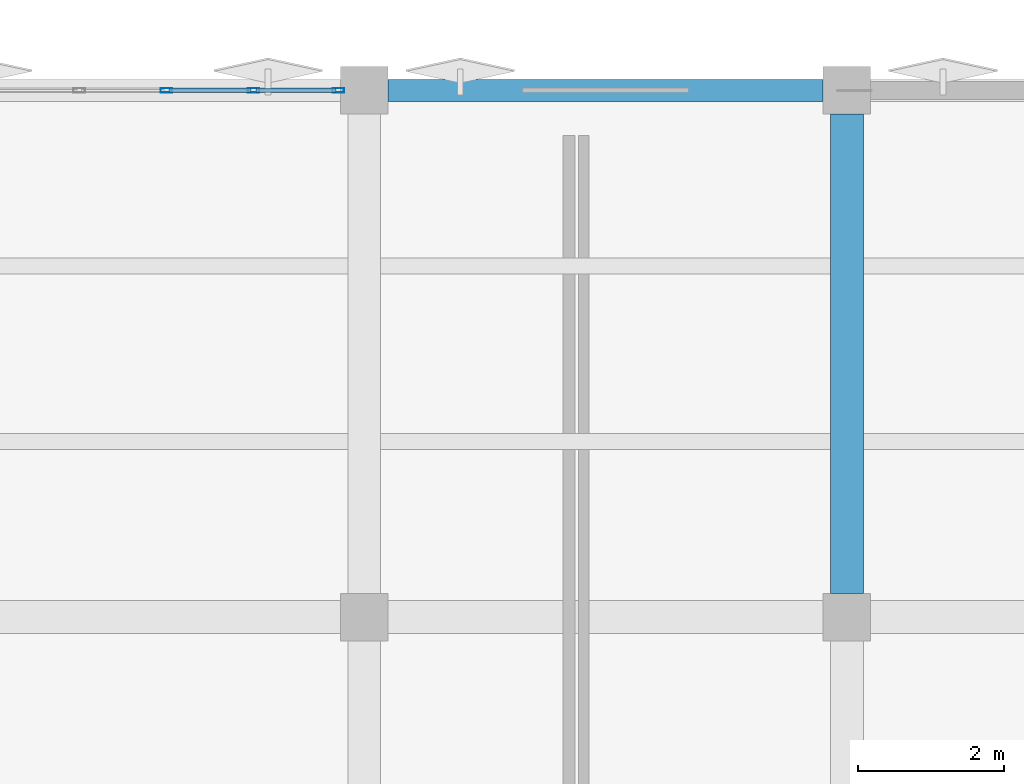
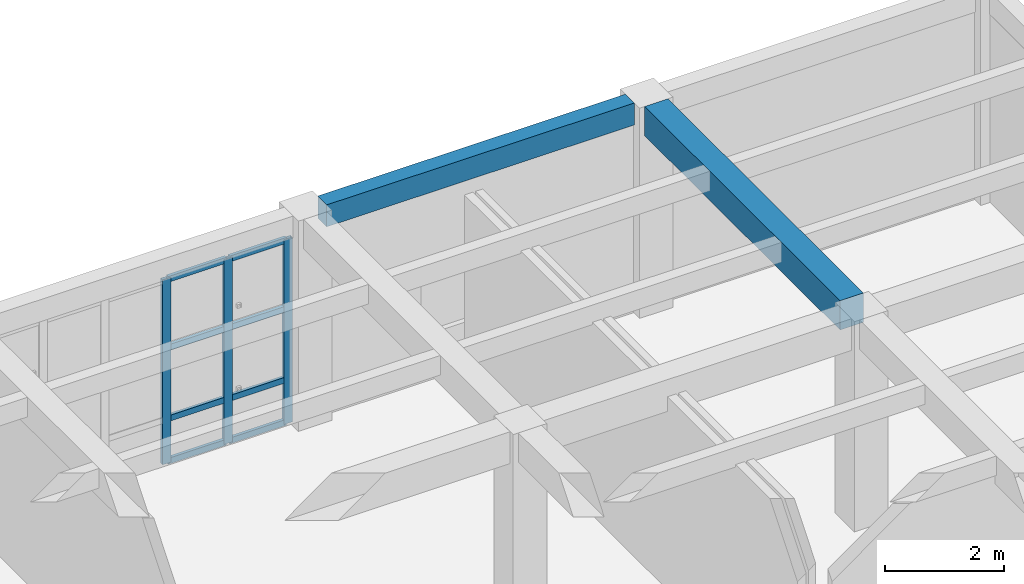
# One storey, part 18 of 39: 11 members, 2 beams, 1 element without a shape of its own.
"""IFC4 building model written with IfcOpenShell, lengths in metres."""

from ifc_helpers import new_model, si_unit, direction, frame, origin, origin_2d, place, context, subcontext, project, spatial, rectangle, hollow_rectangle, extrude, material, layer, layer_set, material_profile, profile_set, type_object, element, aggregate, save


model = new_model("IFC4")

# Units and contexts
model_context = context("Model", 3, precision=1e-05, world=origin(), true_north=direction((0.0, 1.0)))
body_context = subcontext(model_context, "Body", "Model", "MODEL_VIEW")
ifc_project = project(units=[si_unit("LENGTHUNIT", "METRE"), si_unit("AREAUNIT", "SQUARE_METRE"), si_unit("VOLUMEUNIT", "CUBIC_METRE"), si_unit("PLANEANGLEUNIT", "RADIAN"), si_unit("MASSUNIT", "GRAM", prefix="KILO")], contexts=[model_context])

# Site, building, storey
site_placement = place(None, origin())
site = spatial("IfcSite", under=ifc_project, at=site_placement, CompositionType="ELEMENT")
building_placement = place(site_placement, origin())
building = spatial("IfcBuilding", under=site, at=building_placement, Name="Kharisveld Research Institute", CompositionType="ELEMENT")
storey_placement = place(building_placement, frame((0.0, 0.0, 18.60009765625)))
storey = spatial("IfcBuildingStorey", under=building, at=storey_placement, Name="L04", CompositionType="ELEMENT", Elevation=18.60009765625)

# Beam
ifc_material_1 = material(Name="Concrete C40/50", Category="concrete")
ifc_material_profile_1 = material_profile(ifc_material_1, rectangle(XDim=0.449951171875, YDim=0.60009765625, at=origin_2d()))
ifc_profile_set_1 = profile_set([ifc_material_profile_1], Name="Concrete C40/50")
beam_type_1 = type_object("IfcBeamType", Name="BM_RC_450x600", PredefinedType="BEAM", material=ifc_profile_set_1)
beam_1_placement = place(storey_placement, frame((154.199951171875, 53.925048828125, 4.0), z_axis=(0.0, 1.0, 0.0), x_axis=(-1.0, 0.0, 0.0)))
element("IfcBeam", 1, at=beam_1_placement, inside=storey, type_object=beam_type_1, Name="BM:V2:L04:V6_2", PredefinedType="BEAM", context=body_context, shape_type="SweptSolid", body=[
    extrude(rectangle(XDim=0.449951171875, YDim=0.60009765625, at=origin_2d()), origin(), (0.0, 0.0, 1.0), 6.550048828125),
])

# Curtain wall, members
ifc_material_2 = material(Name="Thermally Broken Aluminium Curtain Wall", Category="aluminium")
ifc_layer = layer(ifc_material_2, 0.159912109375)
ifc_layer_set = layer_set([ifc_layer], Name="CW_SYS_01")
curtain_wall_type = type_object("IfcCurtainWallType", Name="CW_SYS_01", PredefinedType="NOTDEFINED", material=ifc_layer_set)
curtain_wall_placement = place(storey_placement, origin())
curtain_wall = element("IfcCurtainWall", 2, at=curtain_wall_placement, inside=storey, type_object=curtain_wall_type, Name="CW:V2:L04:N4", PredefinedType="NOTDEFINED")
ifc_material_3 = material(Name="Anodised Aluminium AW-6063-T6", Category="aluminium")
ifc_material_profile_2 = material_profile(ifc_material_3, hollow_rectangle(XDim=0.06494140625, YDim=0.159912109375, WallThickness=0.00390625, at=origin_2d()))
ifc_profile_set_2 = profile_set([ifc_material_profile_2], Name="Anodised Aluminium AW-6063-T6")
member_type_1 = type_object("IfcMemberType", Name="CW_MUL_160", PredefinedType="MULLION", material=ifc_profile_set_2)
member_1_placement = place(storey_placement, frame((144.89599609375, 60.800048828125, 0.0), z_axis=(0.0, 0.0, 1.0), x_axis=(0.0, 1.0, 0.0)))
member_1 = element("IfcMember", 3, at=member_1_placement, type_object=member_type_1, Name="CW-01 mullion 4", PredefinedType="MULLION", context=body_context, shape_type="SweptSolid", body=[
    extrude(hollow_rectangle(XDim=0.06494140625, YDim=0.159912109375, WallThickness=0.00390625, at=origin_2d()), origin(), (0.0, 0.0, 1.0), 3.77978515625),
])
member_2_placement = place(storey_placement, frame((146.087890625, 60.800048828125, 0.0), z_axis=(0.0, 0.0, 1.0), x_axis=(0.0, 1.0, 0.0)))
member_2 = element("IfcMember", 4, at=member_2_placement, type_object=member_type_1, Name="CW-01 mullion 5", PredefinedType="MULLION", context=body_context, shape_type="SweptSolid", body=[
    extrude(hollow_rectangle(XDim=0.06494140625, YDim=0.159912109375, WallThickness=0.00390625, at=origin_2d()), origin(), (0.0, 0.0, 1.0), 3.77978515625),
])
member_3_placement = place(storey_placement, frame((147.24755859375, 60.800048828125, 0.0), z_axis=(0.0, 0.0, 1.0), x_axis=(0.0, 1.0, 0.0)))
member_3 = element("IfcMember", 5, at=member_3_placement, type_object=member_type_1, Name="CW-01 mullion 6", PredefinedType="MULLION", context=body_context, shape_type="SweptSolid", body=[
    extrude(hollow_rectangle(XDim=0.06494140625, YDim=0.159912109375, WallThickness=0.00390625, at=origin_2d()), origin(), (0.0, 0.0, 1.0), 3.77978515625),
])
ifc_material_4 = material(Name="Anodised Aluminium AW-6063-T6", Category="aluminium")
ifc_material_profile_3 = material_profile(ifc_material_4, hollow_rectangle(XDim=0.06005859375, YDim=0.1201171875, WallThickness=0.00390625, at=origin_2d()))
ifc_profile_set_3 = profile_set([ifc_material_profile_3], Name="Anodised Aluminium AW-6063-T6")
member_type_2 = type_object("IfcMemberType", Name="CW_TRN_120", PredefinedType="USERDEFINED", material=ifc_profile_set_3)
member_4_placement = place(storey_placement, frame((144.928466796875, 60.800048828125, 0.02978515625), z_axis=(1.0, 0.0, 0.0), x_axis=(0.0, 1.0, 0.0)))
member_4 = element("IfcMember", 6, at=member_4_placement, type_object=member_type_2, Name="CW-01 transom 4.1", ObjectType="TRANSOM", PredefinedType="USERDEFINED", context=body_context, shape_type="SweptSolid", body=[
    extrude(hollow_rectangle(XDim=0.06005859375, YDim=0.1201171875, WallThickness=0.00390625, at=origin_2d()), origin(), (0.0, 0.0, 1.0), 1.126953125),
])
member_5_placement = place(storey_placement, frame((144.928466796875, 60.800048828125, 0.89990234375), z_axis=(1.0, 0.0, 0.0), x_axis=(0.0, 1.0, 0.0)))
member_5 = element("IfcMember", 7, at=member_5_placement, type_object=member_type_2, Name="CW-01 transom 4.2", ObjectType="TRANSOM", PredefinedType="USERDEFINED", context=body_context, shape_type="SweptSolid", body=[
    extrude(hollow_rectangle(XDim=0.06005859375, YDim=0.1201171875, WallThickness=0.00390625, at=origin_2d()), origin(), (0.0, 0.0, 1.0), 1.126953125),
])
member_6_placement = place(storey_placement, frame((144.928466796875, 60.800048828125, 2.349853515625), z_axis=(1.0, 0.0, 0.0), x_axis=(0.0, 1.0, 0.0)))
member_6 = element("IfcMember", 8, at=member_6_placement, type_object=member_type_2, Name="CW-01 transom 4.3", ObjectType="TRANSOM", PredefinedType="USERDEFINED", context=body_context, shape_type="SweptSolid", body=[
    extrude(hollow_rectangle(XDim=0.06005859375, YDim=0.1201171875, WallThickness=0.00390625, at=origin_2d()), origin(), (0.0, 0.0, 1.0), 1.126953125),
])
member_7_placement = place(storey_placement, frame((144.928466796875, 60.800048828125, 3.75), z_axis=(1.0, 0.0, 0.0), x_axis=(0.0, 1.0, 0.0)))
member_7 = element("IfcMember", 9, at=member_7_placement, type_object=member_type_2, Name="CW-01 transom 4.4", ObjectType="TRANSOM", PredefinedType="USERDEFINED", context=body_context, shape_type="SweptSolid", body=[
    extrude(hollow_rectangle(XDim=0.06005859375, YDim=0.1201171875, WallThickness=0.00390625, at=origin_2d()), origin(), (0.0, 0.0, 1.0), 1.126953125),
])
member_8_placement = place(storey_placement, frame((146.12060546875, 60.800048828125, 0.02978515625), z_axis=(1.0, 0.0, 0.0), x_axis=(0.0, 1.0, 0.0)))
member_8 = element("IfcMember", 10, at=member_8_placement, type_object=member_type_2, Name="CW-01 transom 5.1", ObjectType="TRANSOM", PredefinedType="USERDEFINED", context=body_context, shape_type="SweptSolid", body=[
    extrude(hollow_rectangle(XDim=0.06005859375, YDim=0.1201171875, WallThickness=0.00390625, at=origin_2d()), origin(), (0.0, 0.0, 1.0), 1.094482421875),
])
member_9_placement = place(storey_placement, frame((146.12060546875, 60.800048828125, 0.89990234375), z_axis=(1.0, 0.0, 0.0), x_axis=(0.0, 1.0, 0.0)))
member_9 = element("IfcMember", 11, at=member_9_placement, type_object=member_type_2, Name="CW-01 transom 5.2", ObjectType="TRANSOM", PredefinedType="USERDEFINED", context=body_context, shape_type="SweptSolid", body=[
    extrude(hollow_rectangle(XDim=0.06005859375, YDim=0.1201171875, WallThickness=0.00390625, at=origin_2d()), origin(), (0.0, 0.0, 1.0), 1.094482421875),
])
member_10_placement = place(storey_placement, frame((146.12060546875, 60.800048828125, 2.349853515625), z_axis=(1.0, 0.0, 0.0), x_axis=(0.0, 1.0, 0.0)))
member_10 = element("IfcMember", 12, at=member_10_placement, type_object=member_type_2, Name="CW-01 transom 5.3", ObjectType="TRANSOM", PredefinedType="USERDEFINED", context=body_context, shape_type="SweptSolid", body=[
    extrude(hollow_rectangle(XDim=0.06005859375, YDim=0.1201171875, WallThickness=0.00390625, at=origin_2d()), origin(), (0.0, 0.0, 1.0), 1.094482421875),
])
member_11_placement = place(storey_placement, frame((146.12060546875, 60.800048828125, 3.75), z_axis=(1.0, 0.0, 0.0), x_axis=(0.0, 1.0, 0.0)))
member_11 = element("IfcMember", 13, at=member_11_placement, type_object=member_type_2, Name="CW-01 transom 5.4", ObjectType="TRANSOM", PredefinedType="USERDEFINED", context=body_context, shape_type="SweptSolid", body=[
    extrude(hollow_rectangle(XDim=0.06005859375, YDim=0.1201171875, WallThickness=0.00390625, at=origin_2d()), origin(), (0.0, 0.0, 1.0), 1.094482421875),
])
aggregate(curtain_wall, [member_1, member_2, member_3, member_4, member_5, member_6, member_7, member_8, member_9, member_10, member_11])

# Beam
ifc_material_5 = material(Name="Concrete C40/50", Category="concrete")
ifc_material_profile_4 = material_profile(ifc_material_5, rectangle(XDim=0.300048828125, YDim=0.449951171875, at=origin_2d()))
ifc_profile_set_4 = profile_set([ifc_material_profile_4], Name="Concrete C40/50")
beam_type_2 = type_object("IfcBeamType", Name="SP_RC_300x450", PredefinedType="SPANDREL", material=ifc_profile_set_4)
beam_2_placement = place(storey_placement, frame((147.925048828125, 60.800048828125, 4.074951171875), z_axis=(1.0, 0.0, 0.0), x_axis=(0.0, 1.0, 0.0)))
element("IfcBeam", 14, at=beam_2_placement, inside=storey, type_object=beam_type_2, Name="BM:V2:L04:U5_3", PredefinedType="SPANDREL", context=body_context, shape_type="SweptSolid", body=[
    extrude(rectangle(XDim=0.300048828125, YDim=0.449951171875, at=origin_2d()), origin(), (0.0, 0.0, 1.0), 5.949951171875),
])

save(model, "model.ifc")
